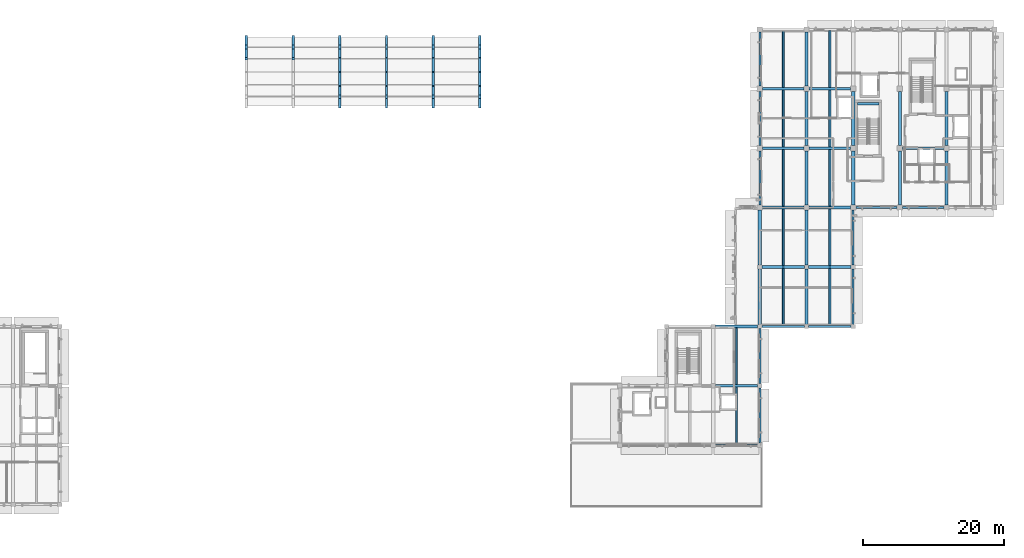
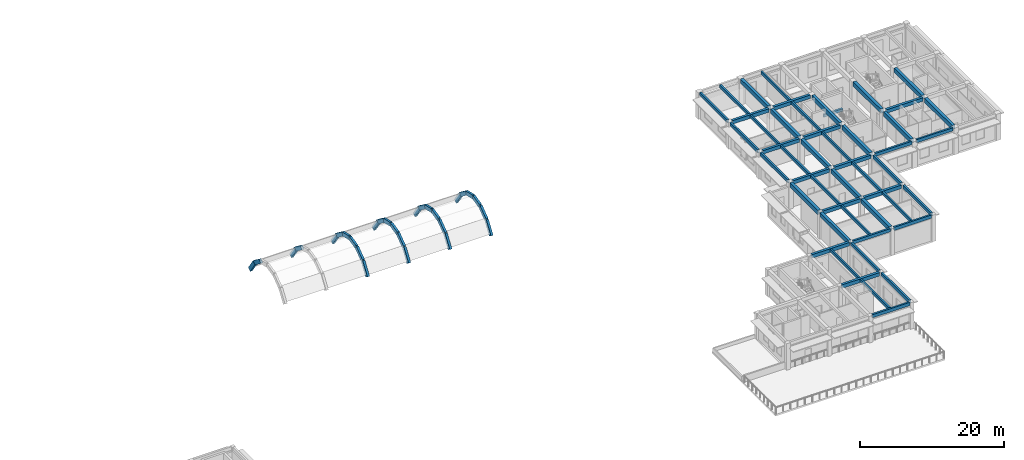
# One storey, part 2 of 20: 77 beams.
"""IFC4 building model written with IfcOpenShell, lengths in metres."""

from ifc_helpers import new_model, si_unit, direction, frame, origin, origin_2d, place, context, subcontext, project, spatial, rectangle, extrude, material, material_profile, profile_set, type_object, element, save


model = new_model("IFC4")

# Units and contexts
model_context = context("Model", 3, precision=1e-05, world=origin(), true_north=direction((0.0, 1.0)))
body_context = subcontext(model_context, "Body", "Model", "MODEL_VIEW")
ifc_project = project(units=[si_unit("LENGTHUNIT", "METRE"), si_unit("AREAUNIT", "SQUARE_METRE"), si_unit("VOLUMEUNIT", "CUBIC_METRE"), si_unit("PLANEANGLEUNIT", "RADIAN"), si_unit("MASSUNIT", "GRAM", prefix="KILO")], contexts=[model_context])

# Site, building, storey
site_placement = place(None, origin())
site = spatial("IfcSite", under=ifc_project, at=site_placement, CompositionType="ELEMENT")
building_placement = place(site_placement, origin())
building = spatial("IfcBuilding", under=site, at=building_placement, Name="Kolvaren Faculty of Natural Sciences", CompositionType="ELEMENT")
storey_placement = place(building_placement, frame((0.0, 0.0, 24.0)))
storey = spatial("IfcBuildingStorey", under=building, at=storey_placement, Name="L05", CompositionType="ELEMENT", Elevation=24.0)

# Beams
ifc_material_1 = material(Name="Concrete C40/50", Category="concrete")
ifc_material_profile_1 = material_profile(ifc_material_1, rectangle(XDim=0.300048828125, YDim=0.449951171875, at=origin_2d()), Name="RC LNT 300x450")
ifc_profile_set_1 = profile_set([ifc_material_profile_1], Name="Concrete C40/50")
beam_type_1 = type_object("IfcBeamType", Name="CoreCouplingLintel_300x450", PredefinedType="LINTEL", material=ifc_profile_set_1)
beam_1_placement = place(storey_placement, frame((152.625, 73.679931640625, 1.824951171875), z_axis=(1.0, 0.0, 0.0), x_axis=(0.0, 1.0, 0.0)))
element("IfcBeam", 1, at=beam_1_placement, inside=storey, type_object=beam_type_1, Name="L05 ST-2 half-landing support lintel", PredefinedType="LINTEL", context=body_context, shape_type="SweptSolid", body=[
    extrude(rectangle(XDim=0.300048828125, YDim=0.449951171875, at=origin_2d()), origin(), (0.0, 0.0, 1.0), 3.050048828125),
])
ifc_material_2 = material(Name="Concrete C35/45", Category="concrete")
ifc_material_profile_2 = material_profile(ifc_material_2, rectangle(XDim=0.39990234375, YDim=0.60009765625, at=origin_2d()), Name="RC BM 400x600")
ifc_profile_set_2 = profile_set([ifc_material_profile_2], Name="Concrete C35/45")
beam_type_2 = type_object("IfcBeamType", Name="GridBeam_400x600", PredefinedType="BEAM", material=ifc_profile_set_2)
for number, where, z_axis, x_axis, name in (
    (2, (132.5, 33.800048828125, 4.199951171875), (1.0, 0.0, 0.0), (0.0, 1.0, 0.0), "L05 beam BM-60 on grid E"),
    (3, (132.5, 42.199951171875, 4.199951171875), (1.0, 0.0, 0.0), (0.0, 1.0, 0.0), "L05 beam BM-60 on grid F"),
    (4, (139.10009765625, 50.60009765625, 4.199951171875), (1.0, 0.0, 0.0), (0.0, 1.0, 0.0), "L05 beam BM-60 on grid G"),
    (5, (145.699951171875, 50.60009765625, 4.199951171875), (1.0, 0.0, 0.0), (0.0, 1.0, 0.0), "L05 beam BM-60 on grid G"),
):
    element("IfcBeam", number, at=place(storey_placement, frame(where, z_axis=z_axis, x_axis=x_axis)), inside=storey, type_object=beam_type_2, Name=name, PredefinedType="BEAM", context=body_context, shape_type="SweptSolid", body=[
        extrude(rectangle(XDim=0.39990234375, YDim=0.60009765625, at=origin_2d()), origin(), (0.0, 0.0, 1.0), 6.0),
    ])
beam_2_placement = place(storey_placement, frame((139.175048828125, 59.0, 4.199951171875), z_axis=(1.0, 0.0, 0.0), x_axis=(0.0, 1.0, 0.0)))
element("IfcBeam", 6, at=beam_2_placement, inside=storey, type_object=beam_type_2, Name="L05 beam BM-60 on grid H", PredefinedType="BEAM", context=body_context, shape_type="SweptSolid", body=[
    extrude(rectangle(XDim=0.39990234375, YDim=0.60009765625, at=origin_2d()), origin(), (0.0, 0.0, 1.0), 5.849853515625),
])
beam_3_placement = place(storey_placement, frame((145.77490234375, 59.0, 4.199951171875), z_axis=(1.0, 0.0, 0.0), x_axis=(0.0, 1.0, 0.0)))
element("IfcBeam", 7, at=beam_3_placement, inside=storey, type_object=beam_type_2, Name="L05 beam BM-60 on grid H", PredefinedType="BEAM", context=body_context, shape_type="SweptSolid", body=[
    extrude(rectangle(XDim=0.39990234375, YDim=0.60009765625, at=origin_2d()), origin(), (0.0, 0.0, 1.0), 5.85009765625),
])
beam_4_placement = place(storey_placement, frame((139.175048828125, 67.39990234375, 4.199951171875), z_axis=(1.0, 0.0, 0.0), x_axis=(0.0, 1.0, 0.0)))
element("IfcBeam", 8, at=beam_4_placement, inside=storey, type_object=beam_type_2, Name="L05 beam BM-60 on grid J", PredefinedType="BEAM", context=body_context, shape_type="SweptSolid", body=[
    extrude(rectangle(XDim=0.39990234375, YDim=0.60009765625, at=origin_2d()), origin(), (0.0, 0.0, 1.0), 5.849853515625),
])
beam_5_placement = place(storey_placement, frame((145.77490234375, 67.39990234375, 4.199951171875), z_axis=(1.0, 0.0, 0.0), x_axis=(0.0, 1.0, 0.0)))
element("IfcBeam", 9, at=beam_5_placement, inside=storey, type_object=beam_type_2, Name="L05 beam BM-60 on grid J", PredefinedType="BEAM", context=body_context, shape_type="SweptSolid", body=[
    extrude(rectangle(XDim=0.39990234375, YDim=0.60009765625, at=origin_2d()), origin(), (0.0, 0.0, 1.0), 5.85009765625),
])
for number, where, z_axis, x_axis, name in (
    (10, (158.97509765625, 67.39990234375, 4.199951171875), (1.0, 0.0, 0.0), (0.0, 1.0, 0.0), "L05 beam BM-60 on grid J"),
    (11, (139.175048828125, 75.800048828125, 4.199951171875), (1.0, 0.0, 0.0), (0.0, 1.0, 0.0), "L05 beam BM-60 on grid K"),
):
    element("IfcBeam", number, at=place(storey_placement, frame(where, z_axis=z_axis, x_axis=x_axis)), inside=storey, type_object=beam_type_2, Name=name, PredefinedType="BEAM", context=body_context, shape_type="SweptSolid", body=[
        extrude(rectangle(XDim=0.39990234375, YDim=0.60009765625, at=origin_2d()), origin(), (0.0, 0.0, 1.0), 5.849853515625),
    ])
beam_6_placement = place(storey_placement, frame((145.77490234375, 75.800048828125, 4.199951171875), z_axis=(1.0, 0.0, 0.0), x_axis=(0.0, 1.0, 0.0)))
element("IfcBeam", 12, at=beam_6_placement, inside=storey, type_object=beam_type_2, Name="L05 beam BM-60 on grid K", PredefinedType="BEAM", context=body_context, shape_type="SweptSolid", body=[
    extrude(rectangle(XDim=0.39990234375, YDim=0.60009765625, at=origin_2d()), origin(), (0.0, 0.0, 1.0), 5.85009765625),
])
ifc_material_profile_3 = material_profile(ifc_material_2, rectangle(XDim=0.260009765625, YDim=0.5, at=origin_2d()), Name="RC JST 260x500")
ifc_profile_set_3 = profile_set([ifc_material_profile_3], Name="Concrete C35/45")
beam_type_3 = type_object("IfcBeamType", Name="LabRibJoist_260x500", PredefinedType="JOIST", material=ifc_profile_set_3)
beam_7_placement = place(storey_placement, frame((135.5, 25.550048828125, 4.25), z_axis=(0.0, 1.0, 0.0), x_axis=(-1.0, 0.0, 0.0)))
element("IfcBeam", 13, at=beam_7_placement, inside=storey, type_object=beam_type_3, Name="L05 ribbed laboratory slab joist JS-50", PredefinedType="JOIST", context=body_context, shape_type="SweptSolid", body=[
    extrude(rectangle(XDim=0.260009765625, YDim=0.5, at=origin_2d()), origin(), (0.0, 0.0, 1.0), 8.050048828125),
])
beam_8_placement = place(storey_placement, frame((135.5, 34.0, 4.25), z_axis=(0.0, 1.0, 0.0), x_axis=(-1.0, 0.0, 0.0)))
element("IfcBeam", 14, at=beam_8_placement, inside=storey, type_object=beam_type_3, Name="L05 ribbed laboratory slab joist JS-50", PredefinedType="JOIST", context=body_context, shape_type="SweptSolid", body=[
    extrude(rectangle(XDim=0.260009765625, YDim=0.5, at=origin_2d()), origin(), (0.0, 0.0, 1.0), 8.0),
])
beam_9_placement = place(storey_placement, frame((142.10009765625, 42.35009765625, 4.25), z_axis=(0.0, 1.0, 0.0), x_axis=(-1.0, 0.0, 0.0)))
element("IfcBeam", 15, at=beam_9_placement, inside=storey, type_object=beam_type_3, Name="L05 ribbed laboratory slab joist JS-50", PredefinedType="JOIST", context=body_context, shape_type="SweptSolid", body=[
    extrude(rectangle(XDim=0.260009765625, YDim=0.5, at=origin_2d()), origin(), (0.0, 0.0, 1.0), 8.0498046875),
])
for number, where, z_axis, x_axis, name in (
    (16, (142.10009765625, 50.800048828125, 4.25), (0.0, 1.0, 0.0), (-1.0, 0.0, 0.0), "L05 ribbed laboratory slab joist JS-50"),
    (17, (142.10009765625, 59.199951171875, 4.25), (0.0, 1.0, 0.0), (-1.0, 0.0, 0.0), "L05 ribbed laboratory slab joist JS-50"),
    (18, (142.10009765625, 67.60009765625, 4.25), (0.0, 1.0, 0.0), (-1.0, 0.0, 0.0), "L05 ribbed laboratory slab joist JS-50"),
):
    element("IfcBeam", number, at=place(storey_placement, frame(where, z_axis=z_axis, x_axis=x_axis)), inside=storey, type_object=beam_type_3, Name=name, PredefinedType="JOIST", context=body_context, shape_type="SweptSolid", body=[
        extrude(rectangle(XDim=0.260009765625, YDim=0.5, at=origin_2d()), origin(), (0.0, 0.0, 1.0), 8.0),
    ])
beam_10_placement = place(storey_placement, frame((142.10009765625, 76.0, 4.25), z_axis=(0.0, 1.0, 0.0), x_axis=(-1.0, 0.0, 0.0)))
element("IfcBeam", 19, at=beam_10_placement, inside=storey, type_object=beam_type_3, Name="L05 ribbed laboratory slab joist JS-50", PredefinedType="JOIST", context=body_context, shape_type="SweptSolid", body=[
    extrude(rectangle(XDim=0.260009765625, YDim=0.5, at=origin_2d()), origin(), (0.0, 0.0, 1.0), 8.050048828125),
])
beam_11_placement = place(storey_placement, frame((148.699951171875, 42.35009765625, 4.25), z_axis=(0.0, 1.0, 0.0), x_axis=(-1.0, 0.0, 0.0)))
element("IfcBeam", 20, at=beam_11_placement, inside=storey, type_object=beam_type_3, Name="L05 ribbed laboratory slab joist JS-50", PredefinedType="JOIST", context=body_context, shape_type="SweptSolid", body=[
    extrude(rectangle(XDim=0.260009765625, YDim=0.5, at=origin_2d()), origin(), (0.0, 0.0, 1.0), 8.0498046875),
])
for number, where, z_axis, x_axis, name in (
    (21, (148.699951171875, 50.800048828125, 4.25), (0.0, 1.0, 0.0), (-1.0, 0.0, 0.0), "L05 ribbed laboratory slab joist JS-50"),
    (22, (148.699951171875, 59.199951171875, 4.25), (0.0, 1.0, 0.0), (-1.0, 0.0, 0.0), "L05 ribbed laboratory slab joist JS-50"),
    (23, (148.699951171875, 67.60009765625, 4.25), (0.0, 1.0, 0.0), (-1.0, 0.0, 0.0), "L05 ribbed laboratory slab joist JS-50"),
):
    element("IfcBeam", number, at=place(storey_placement, frame(where, z_axis=z_axis, x_axis=x_axis)), inside=storey, type_object=beam_type_3, Name=name, PredefinedType="JOIST", context=body_context, shape_type="SweptSolid", body=[
        extrude(rectangle(XDim=0.260009765625, YDim=0.5, at=origin_2d()), origin(), (0.0, 0.0, 1.0), 8.0),
    ])
beam_12_placement = place(storey_placement, frame((148.699951171875, 76.0, 4.25), z_axis=(0.0, 1.0, 0.0), x_axis=(-1.0, 0.0, 0.0)))
element("IfcBeam", 24, at=beam_12_placement, inside=storey, type_object=beam_type_3, Name="L05 ribbed laboratory slab joist JS-50", PredefinedType="JOIST", context=body_context, shape_type="SweptSolid", body=[
    extrude(rectangle(XDim=0.260009765625, YDim=0.5, at=origin_2d()), origin(), (0.0, 0.0, 1.0), 8.050048828125),
])
ifc_material_profile_4 = material_profile(ifc_material_2, rectangle(XDim=0.300048828125, YDim=0.550048828125, at=origin_2d()), Name="RC SP 300x550")
ifc_profile_set_4 = profile_set([ifc_material_profile_4], Name="Concrete C35/45")
beam_type_4 = type_object("IfcBeamType", Name="PerimeterSpandrel_300x550", PredefinedType="SPANDREL", material=ifc_profile_set_4)
for number, where, z_axis, x_axis, name in (
    (25, (132.5, 25.39990234375, 4.22509765625), (1.0, 0.0, 0.0), (0.0, 1.0, 0.0), "L05 spandrel SP-55 on grid D"),
    (26, (139.10009765625, 42.199951171875, 4.22509765625), (1.0, 0.0, 0.0), (0.0, 1.0, 0.0), "L05 spandrel SP-55 on grid F"),
    (27, (145.699951171875, 42.199951171875, 4.22509765625), (1.0, 0.0, 0.0), (0.0, 1.0, 0.0), "L05 spandrel SP-55 on grid F"),
):
    element("IfcBeam", number, at=place(storey_placement, frame(where, z_axis=z_axis, x_axis=x_axis)), inside=storey, type_object=beam_type_4, Name=name, PredefinedType="SPANDREL", context=body_context, shape_type="SweptSolid", body=[
        extrude(rectangle(XDim=0.300048828125, YDim=0.550048828125, at=origin_2d()), origin(), (0.0, 0.0, 1.0), 6.0),
    ])
beam_13_placement = place(storey_placement, frame((152.375, 59.0, 4.22509765625), z_axis=(1.0, 0.0, 0.0), x_axis=(0.0, 1.0, 0.0)))
element("IfcBeam", 28, at=beam_13_placement, inside=storey, type_object=beam_type_4, Name="L05 spandrel SP-55 on grid H", PredefinedType="SPANDREL", context=body_context, shape_type="SweptSolid", body=[
    extrude(rectangle(XDim=0.300048828125, YDim=0.550048828125, at=origin_2d()), origin(), (0.0, 0.0, 1.0), 5.85009765625),
])
beam_14_placement = place(storey_placement, frame((158.97509765625, 59.0, 4.22509765625), z_axis=(1.0, 0.0, 0.0), x_axis=(0.0, 1.0, 0.0)))
element("IfcBeam", 29, at=beam_14_placement, inside=storey, type_object=beam_type_4, Name="L05 spandrel SP-55 on grid H", PredefinedType="SPANDREL", context=body_context, shape_type="SweptSolid", body=[
    extrude(rectangle(XDim=0.300048828125, YDim=0.550048828125, at=origin_2d()), origin(), (0.0, 0.0, 1.0), 5.849853515625),
])
beam_15_placement = place(storey_placement, frame((138.800048828125, 25.699951171875, 4.22509765625), z_axis=(0.0, 1.0, 0.0), x_axis=(-1.0, 0.0, 0.0)))
element("IfcBeam", 30, at=beam_15_placement, inside=storey, type_object=beam_type_4, Name="L05 girder SP-55 on grid 22", PredefinedType="SPANDREL", context=body_context, shape_type="SweptSolid", body=[
    extrude(rectangle(XDim=0.300048828125, YDim=0.550048828125, at=origin_2d()), origin(), (0.0, 0.0, 1.0), 7.800048828125),
])
beam_16_placement = place(storey_placement, frame((138.800048828125, 34.10009765625, 4.22509765625), z_axis=(0.0, 1.0, 0.0), x_axis=(-1.0, 0.0, 0.0)))
element("IfcBeam", 31, at=beam_16_placement, inside=storey, type_object=beam_type_4, Name="L05 girder SP-55 on grid 22", PredefinedType="SPANDREL", context=body_context, shape_type="SweptSolid", body=[
    extrude(rectangle(XDim=0.300048828125, YDim=0.550048828125, at=origin_2d()), origin(), (0.0, 0.0, 1.0), 7.7998046875),
])
beam_17_placement = place(storey_placement, frame((138.800048828125, 59.375, 4.22509765625), z_axis=(0.0, 1.0, 0.0), x_axis=(-1.0, 0.0, 0.0)))
element("IfcBeam", 32, at=beam_17_placement, inside=storey, type_object=beam_type_4, Name="L05 girder SP-55 on grid 22", PredefinedType="SPANDREL", context=body_context, shape_type="SweptSolid", body=[
    extrude(rectangle(XDim=0.300048828125, YDim=0.550048828125, at=origin_2d()), origin(), (0.0, 0.0, 1.0), 7.64990234375),
])
beam_18_placement = place(storey_placement, frame((138.800048828125, 67.77490234375, 4.22509765625), z_axis=(0.0, 1.0, 0.0), x_axis=(-1.0, 0.0, 0.0)))
element("IfcBeam", 33, at=beam_18_placement, inside=storey, type_object=beam_type_4, Name="L05 girder SP-55 on grid 22", PredefinedType="SPANDREL", context=body_context, shape_type="SweptSolid", body=[
    extrude(rectangle(XDim=0.300048828125, YDim=0.550048828125, at=origin_2d()), origin(), (0.0, 0.0, 1.0), 7.650146484375),
])
beam_19_placement = place(storey_placement, frame((138.800048828125, 76.175048828125, 4.22509765625), z_axis=(0.0, 1.0, 0.0), x_axis=(-1.0, 0.0, 0.0)))
element("IfcBeam", 34, at=beam_19_placement, inside=storey, type_object=beam_type_4, Name="L05 girder SP-55 on grid 22", PredefinedType="SPANDREL", context=body_context, shape_type="SweptSolid", body=[
    extrude(rectangle(XDim=0.300048828125, YDim=0.550048828125, at=origin_2d()), origin(), (0.0, 0.0, 1.0), 7.64990234375),
])
beam_20_placement = place(storey_placement, frame((152.0, 42.5, 4.22509765625), z_axis=(0.0, 1.0, 0.0), x_axis=(-1.0, 0.0, 0.0)))
element("IfcBeam", 35, at=beam_20_placement, inside=storey, type_object=beam_type_4, Name="L05 girder SP-55 on grid 24", PredefinedType="SPANDREL", context=body_context, shape_type="SweptSolid", body=[
    extrude(rectangle(XDim=0.300048828125, YDim=0.550048828125, at=origin_2d()), origin(), (0.0, 0.0, 1.0), 7.800048828125),
])
beam_21_placement = place(storey_placement, frame((152.0, 50.89990234375, 4.22509765625), z_axis=(0.0, 1.0, 0.0), x_axis=(-1.0, 0.0, 0.0)))
element("IfcBeam", 36, at=beam_21_placement, inside=storey, type_object=beam_type_4, Name="L05 girder SP-55 on grid 24", PredefinedType="SPANDREL", context=body_context, shape_type="SweptSolid", body=[
    extrude(rectangle(XDim=0.300048828125, YDim=0.550048828125, at=origin_2d()), origin(), (0.0, 0.0, 1.0), 7.72509765625),
])
ifc_material_profile_5 = material_profile(ifc_material_2, rectangle(XDim=0.449951171875, YDim=0.75, at=origin_2d()), Name="RC BM 450x750")
ifc_profile_set_5 = profile_set([ifc_material_profile_5], Name="Concrete C35/45")
beam_type_5 = type_object("IfcBeamType", Name="PrimaryGirder_450x750", PredefinedType="BEAM", material=ifc_profile_set_5)
beam_22_placement = place(storey_placement, frame((138.800048828125, 42.5, 4.125), z_axis=(0.0, 1.0, 0.0), x_axis=(-1.0, 0.0, 0.0)))
element("IfcBeam", 37, at=beam_22_placement, inside=storey, type_object=beam_type_5, Name="L05 girder BG-75 on grid 22", PredefinedType="BEAM", context=body_context, shape_type="SweptSolid", body=[
    extrude(rectangle(XDim=0.449951171875, YDim=0.75, at=origin_2d()), origin(), (0.0, 0.0, 1.0), 7.800048828125),
])
beam_23_placement = place(storey_placement, frame((138.800048828125, 50.89990234375, 4.125), z_axis=(0.0, 1.0, 0.0), x_axis=(-1.0, 0.0, 0.0)))
element("IfcBeam", 38, at=beam_23_placement, inside=storey, type_object=beam_type_5, Name="L05 girder BG-75 on grid 22", PredefinedType="BEAM", context=body_context, shape_type="SweptSolid", body=[
    extrude(rectangle(XDim=0.449951171875, YDim=0.75, at=origin_2d()), origin(), (0.0, 0.0, 1.0), 7.72509765625),
])
beam_24_placement = place(storey_placement, frame((145.39990234375, 42.5, 4.125), z_axis=(0.0, 1.0, 0.0), x_axis=(-1.0, 0.0, 0.0)))
element("IfcBeam", 39, at=beam_24_placement, inside=storey, type_object=beam_type_5, Name="L05 girder BG-75 on grid 23", PredefinedType="BEAM", context=body_context, shape_type="SweptSolid", body=[
    extrude(rectangle(XDim=0.449951171875, YDim=0.75, at=origin_2d()), origin(), (0.0, 0.0, 1.0), 7.800048828125),
])
beam_25_placement = place(storey_placement, frame((145.39990234375, 50.89990234375, 4.125), z_axis=(0.0, 1.0, 0.0), x_axis=(-1.0, 0.0, 0.0)))
element("IfcBeam", 40, at=beam_25_placement, inside=storey, type_object=beam_type_5, Name="L05 girder BG-75 on grid 23", PredefinedType="BEAM", context=body_context, shape_type="SweptSolid", body=[
    extrude(rectangle(XDim=0.449951171875, YDim=0.75, at=origin_2d()), origin(), (0.0, 0.0, 1.0), 7.72509765625),
])
beam_26_placement = place(storey_placement, frame((145.39990234375, 59.375, 4.125), z_axis=(0.0, 1.0, 0.0), x_axis=(-1.0, 0.0, 0.0)))
element("IfcBeam", 41, at=beam_26_placement, inside=storey, type_object=beam_type_5, Name="L05 girder BG-75 on grid 23", PredefinedType="BEAM", context=body_context, shape_type="SweptSolid", body=[
    extrude(rectangle(XDim=0.449951171875, YDim=0.75, at=origin_2d()), origin(), (0.0, 0.0, 1.0), 7.64990234375),
])
beam_27_placement = place(storey_placement, frame((145.39990234375, 67.77490234375, 4.125), z_axis=(0.0, 1.0, 0.0), x_axis=(-1.0, 0.0, 0.0)))
element("IfcBeam", 42, at=beam_27_placement, inside=storey, type_object=beam_type_5, Name="L05 girder BG-75 on grid 23", PredefinedType="BEAM", context=body_context, shape_type="SweptSolid", body=[
    extrude(rectangle(XDim=0.449951171875, YDim=0.75, at=origin_2d()), origin(), (0.0, 0.0, 1.0), 7.650146484375),
])
for number, where, z_axis, x_axis, name in (
    (43, (145.39990234375, 76.175048828125, 4.125), (0.0, 1.0, 0.0), (-1.0, 0.0, 0.0), "L05 girder BG-75 on grid 23"),
    (44, (152.0, 59.375, 4.125), (0.0, 1.0, 0.0), (-1.0, 0.0, 0.0), "L05 girder BG-75 on grid 24"),
):
    element("IfcBeam", number, at=place(storey_placement, frame(where, z_axis=z_axis, x_axis=x_axis)), inside=storey, type_object=beam_type_5, Name=name, PredefinedType="BEAM", context=body_context, shape_type="SweptSolid", body=[
        extrude(rectangle(XDim=0.449951171875, YDim=0.75, at=origin_2d()), origin(), (0.0, 0.0, 1.0), 7.64990234375),
    ])
beam_28_placement = place(storey_placement, frame((152.0, 67.77490234375, 4.125), z_axis=(0.0, 1.0, 0.0), x_axis=(-1.0, 0.0, 0.0)))
element("IfcBeam", 45, at=beam_28_placement, inside=storey, type_object=beam_type_5, Name="L05 girder BG-75 on grid 24", PredefinedType="BEAM", context=body_context, shape_type="SweptSolid", body=[
    extrude(rectangle(XDim=0.449951171875, YDim=0.75, at=origin_2d()), origin(), (0.0, 0.0, 1.0), 7.650146484375),
])
beam_29_placement = place(storey_placement, frame((158.60009765625, 59.375, 4.125), z_axis=(0.0, 1.0, 0.0), x_axis=(-1.0, 0.0, 0.0)))
element("IfcBeam", 46, at=beam_29_placement, inside=storey, type_object=beam_type_5, Name="L05 girder BG-75 on grid 25", PredefinedType="BEAM", context=body_context, shape_type="SweptSolid", body=[
    extrude(rectangle(XDim=0.449951171875, YDim=0.75, at=origin_2d()), origin(), (0.0, 0.0, 1.0), 7.64990234375),
])
beam_30_placement = place(storey_placement, frame((158.60009765625, 67.77490234375, 4.125), z_axis=(0.0, 1.0, 0.0), x_axis=(-1.0, 0.0, 0.0)))
element("IfcBeam", 47, at=beam_30_placement, inside=storey, type_object=beam_type_5, Name="L05 girder BG-75 on grid 25", PredefinedType="BEAM", context=body_context, shape_type="SweptSolid", body=[
    extrude(rectangle(XDim=0.449951171875, YDim=0.75, at=origin_2d()), origin(), (0.0, 0.0, 1.0), 7.650146484375),
])
beam_31_placement = place(storey_placement, frame((165.199951171875, 59.375, 4.125), z_axis=(0.0, 1.0, 0.0), x_axis=(-1.0, 0.0, 0.0)))
element("IfcBeam", 48, at=beam_31_placement, inside=storey, type_object=beam_type_5, Name="L05 girder BG-75 on grid 26", PredefinedType="BEAM", context=body_context, shape_type="SweptSolid", body=[
    extrude(rectangle(XDim=0.449951171875, YDim=0.75, at=origin_2d()), origin(), (0.0, 0.0, 1.0), 7.64990234375),
])
beam_32_placement = place(storey_placement, frame((165.199951171875, 67.77490234375, 4.125), z_axis=(0.0, 1.0, 0.0), x_axis=(-1.0, 0.0, 0.0)))
element("IfcBeam", 49, at=beam_32_placement, inside=storey, type_object=beam_type_5, Name="L05 girder BG-75 on grid 26", PredefinedType="BEAM", context=body_context, shape_type="SweptSolid", body=[
    extrude(rectangle(XDim=0.449951171875, YDim=0.75, at=origin_2d()), origin(), (0.0, 0.0, 1.0), 7.650146484375),
])
ifc_material_profile_6 = material_profile(ifc_material_1, rectangle(XDim=0.35009765625, YDim=0.64990234375, at=origin_2d()), Name="RC RB 350x650")
ifc_profile_set_6 = profile_set([ifc_material_profile_6], Name="Concrete C40/50")
beam_type_6 = type_object("IfcBeamType", Name="ShellArchRib_350x650", PredefinedType="BEAM", material=ifc_profile_set_6)
beam_33_placement = place(storey_placement, frame((66.199951171875, 80.05419921875, 3.58935546875), z_axis=(0.0, 0.801023058896, -0.598633493147), x_axis=(-1.0, 0.0, 0.0)))
element("IfcBeam", 50, at=beam_33_placement, inside=storey, type_object=beam_type_6, Name="Central Sky-Lit Atrium Barrel Vault Shell arched stiffening rib 1.7", PredefinedType="BEAM", context=body_context, shape_type="SweptSolid", body=[
    extrude(rectangle(XDim=0.35009765625, YDim=0.64990234375, at=origin_2d()), origin(), (0.0, 0.0, 1.0), 2.088134765625),
])
beam_34_placement = place(storey_placement, frame((66.199951171875, 81.726806640625, 2.33935546875), z_axis=(0.0, 0.563349684993, -0.826218574239), x_axis=(-1.0, 0.0, 0.0)))
element("IfcBeam", 51, at=beam_34_placement, inside=storey, type_object=beam_type_6, Name="Central Sky-Lit Atrium Barrel Vault Shell arched stiffening rib 1.8", PredefinedType="BEAM", context=body_context, shape_type="SweptSolid", body=[
    extrude(rectangle(XDim=0.35009765625, YDim=0.64990234375, at=origin_2d()), origin(), (0.0, 0.0, 1.0), 2.356201171875),
])
beam_35_placement = place(storey_placement, frame((72.800048828125, 80.05419921875, 3.58935546875), z_axis=(0.0, 0.801023058896, -0.598633493147), x_axis=(-1.0, 0.0, 0.0)))
element("IfcBeam", 52, at=beam_35_placement, inside=storey, type_object=beam_type_6, Name="Central Sky-Lit Atrium Barrel Vault Shell arched stiffening rib 2.7", PredefinedType="BEAM", context=body_context, shape_type="SweptSolid", body=[
    extrude(rectangle(XDim=0.35009765625, YDim=0.64990234375, at=origin_2d()), origin(), (0.0, 0.0, 1.0), 2.088134765625),
])
for number, where, z_axis, x_axis, name in (
    (53, (72.800048828125, 81.726806640625, 2.33935546875), (0.0, 0.563349684993, -0.826218574239), (-1.0, 0.0, 0.0), "Central Sky-Lit Atrium Barrel Vault Shell arched stiffening rib 2.8"),
    (54, (79.39990234375, 73.345947265625, 0.392578125), (0.0, 0.563349684993, 0.826218574239), (-1.0, 0.0, 0.0), "Central Sky-Lit Atrium Barrel Vault Shell arched stiffening rib 3.3"),
):
    element("IfcBeam", number, at=place(storey_placement, frame(where, z_axis=z_axis, x_axis=x_axis)), inside=storey, type_object=beam_type_6, Name=name, PredefinedType="BEAM", context=body_context, shape_type="SweptSolid", body=[
        extrude(rectangle(XDim=0.35009765625, YDim=0.64990234375, at=origin_2d()), origin(), (0.0, 0.0, 1.0), 2.356201171875),
    ])
beam_36_placement = place(storey_placement, frame((79.39990234375, 74.67333984375, 2.33935546875), z_axis=(0.0, 0.801023058896, 0.598633493147), x_axis=(-1.0, 0.0, 0.0)))
element("IfcBeam", 55, at=beam_36_placement, inside=storey, type_object=beam_type_6, Name="Central Sky-Lit Atrium Barrel Vault Shell arched stiffening rib 3.4", PredefinedType="BEAM", context=body_context, shape_type="SweptSolid", body=[
    extrude(rectangle(XDim=0.35009765625, YDim=0.64990234375, at=origin_2d()), origin(), (0.0, 0.0, 1.0), 2.088134765625),
])
beam_37_placement = place(storey_placement, frame((79.39990234375, 76.345947265625, 3.58935546875), z_axis=(0.0, 0.974065909873, 0.226264454176), x_axis=(-1.0, 0.0, 0.0)))
element("IfcBeam", 56, at=beam_37_placement, inside=storey, type_object=beam_type_6, Name="Central Sky-Lit Atrium Barrel Vault Shell arched stiffening rib 3.5", PredefinedType="BEAM", context=body_context, shape_type="SweptSolid", body=[
    extrude(rectangle(XDim=0.35009765625, YDim=0.64990234375, at=origin_2d()), origin(), (0.0, 0.0, 1.0), 1.9033203125),
])
beam_38_placement = place(storey_placement, frame((79.39990234375, 78.199951171875, 4.02001953125), z_axis=(0.0, 0.974072475391, -0.226236187833), x_axis=(-1.0, 0.0, 0.0)))
element("IfcBeam", 57, at=beam_38_placement, inside=storey, type_object=beam_type_6, Name="Central Sky-Lit Atrium Barrel Vault Shell arched stiffening rib 3.6", PredefinedType="BEAM", context=body_context, shape_type="SweptSolid", body=[
    extrude(rectangle(XDim=0.35009765625, YDim=0.64990234375, at=origin_2d()), origin(), (0.0, 0.0, 1.0), 1.903564453125),
])
beam_39_placement = place(storey_placement, frame((79.39990234375, 80.05419921875, 3.58935546875), z_axis=(0.0, 0.801023058896, -0.598633493147), x_axis=(-1.0, 0.0, 0.0)))
element("IfcBeam", 58, at=beam_39_placement, inside=storey, type_object=beam_type_6, Name="Central Sky-Lit Atrium Barrel Vault Shell arched stiffening rib 3.7", PredefinedType="BEAM", context=body_context, shape_type="SweptSolid", body=[
    extrude(rectangle(XDim=0.35009765625, YDim=0.64990234375, at=origin_2d()), origin(), (0.0, 0.0, 1.0), 2.088134765625),
])
for number, where, z_axis, x_axis, name in (
    (59, (79.39990234375, 81.726806640625, 2.33935546875), (0.0, 0.563349684993, -0.826218574239), (-1.0, 0.0, 0.0), "Central Sky-Lit Atrium Barrel Vault Shell arched stiffening rib 3.8"),
    (60, (86.0, 73.345947265625, 0.392578125), (0.0, 0.563349684993, 0.826218574239), (-1.0, 0.0, 0.0), "Central Sky-Lit Atrium Barrel Vault Shell arched stiffening rib 4.3"),
):
    element("IfcBeam", number, at=place(storey_placement, frame(where, z_axis=z_axis, x_axis=x_axis)), inside=storey, type_object=beam_type_6, Name=name, PredefinedType="BEAM", context=body_context, shape_type="SweptSolid", body=[
        extrude(rectangle(XDim=0.35009765625, YDim=0.64990234375, at=origin_2d()), origin(), (0.0, 0.0, 1.0), 2.356201171875),
    ])
beam_40_placement = place(storey_placement, frame((86.0, 74.67333984375, 2.33935546875), z_axis=(0.0, 0.801023058896, 0.598633493147), x_axis=(-1.0, 0.0, 0.0)))
element("IfcBeam", 61, at=beam_40_placement, inside=storey, type_object=beam_type_6, Name="Central Sky-Lit Atrium Barrel Vault Shell arched stiffening rib 4.4", PredefinedType="BEAM", context=body_context, shape_type="SweptSolid", body=[
    extrude(rectangle(XDim=0.35009765625, YDim=0.64990234375, at=origin_2d()), origin(), (0.0, 0.0, 1.0), 2.088134765625),
])
beam_41_placement = place(storey_placement, frame((86.0, 76.345947265625, 3.58935546875), z_axis=(0.0, 0.974065909873, 0.226264454176), x_axis=(-1.0, 0.0, 0.0)))
element("IfcBeam", 62, at=beam_41_placement, inside=storey, type_object=beam_type_6, Name="Central Sky-Lit Atrium Barrel Vault Shell arched stiffening rib 4.5", PredefinedType="BEAM", context=body_context, shape_type="SweptSolid", body=[
    extrude(rectangle(XDim=0.35009765625, YDim=0.64990234375, at=origin_2d()), origin(), (0.0, 0.0, 1.0), 1.9033203125),
])
beam_42_placement = place(storey_placement, frame((86.0, 78.199951171875, 4.02001953125), z_axis=(0.0, 0.974072475391, -0.226236187833), x_axis=(-1.0, 0.0, 0.0)))
element("IfcBeam", 63, at=beam_42_placement, inside=storey, type_object=beam_type_6, Name="Central Sky-Lit Atrium Barrel Vault Shell arched stiffening rib 4.6", PredefinedType="BEAM", context=body_context, shape_type="SweptSolid", body=[
    extrude(rectangle(XDim=0.35009765625, YDim=0.64990234375, at=origin_2d()), origin(), (0.0, 0.0, 1.0), 1.903564453125),
])
beam_43_placement = place(storey_placement, frame((86.0, 80.05419921875, 3.58935546875), z_axis=(0.0, 0.801023058896, -0.598633493147), x_axis=(-1.0, 0.0, 0.0)))
element("IfcBeam", 64, at=beam_43_placement, inside=storey, type_object=beam_type_6, Name="Central Sky-Lit Atrium Barrel Vault Shell arched stiffening rib 4.7", PredefinedType="BEAM", context=body_context, shape_type="SweptSolid", body=[
    extrude(rectangle(XDim=0.35009765625, YDim=0.64990234375, at=origin_2d()), origin(), (0.0, 0.0, 1.0), 2.088134765625),
])
for number, where, z_axis, x_axis, name in (
    (65, (86.0, 81.726806640625, 2.33935546875), (0.0, 0.563349684993, -0.826218574239), (-1.0, 0.0, 0.0), "Central Sky-Lit Atrium Barrel Vault Shell arched stiffening rib 4.8"),
    (66, (92.60009765625, 73.345947265625, 0.392578125), (0.0, 0.563349684993, 0.826218574239), (-1.0, 0.0, 0.0), "Central Sky-Lit Atrium Barrel Vault Shell arched stiffening rib 5.3"),
):
    element("IfcBeam", number, at=place(storey_placement, frame(where, z_axis=z_axis, x_axis=x_axis)), inside=storey, type_object=beam_type_6, Name=name, PredefinedType="BEAM", context=body_context, shape_type="SweptSolid", body=[
        extrude(rectangle(XDim=0.35009765625, YDim=0.64990234375, at=origin_2d()), origin(), (0.0, 0.0, 1.0), 2.356201171875),
    ])
beam_44_placement = place(storey_placement, frame((92.60009765625, 74.67333984375, 2.33935546875), z_axis=(0.0, 0.801023058896, 0.598633493147), x_axis=(-1.0, 0.0, 0.0)))
element("IfcBeam", 67, at=beam_44_placement, inside=storey, type_object=beam_type_6, Name="Central Sky-Lit Atrium Barrel Vault Shell arched stiffening rib 5.4", PredefinedType="BEAM", context=body_context, shape_type="SweptSolid", body=[
    extrude(rectangle(XDim=0.35009765625, YDim=0.64990234375, at=origin_2d()), origin(), (0.0, 0.0, 1.0), 2.088134765625),
])
beam_45_placement = place(storey_placement, frame((92.60009765625, 76.345947265625, 3.58935546875), z_axis=(0.0, 0.974065909873, 0.226264454176), x_axis=(-1.0, 0.0, 0.0)))
element("IfcBeam", 68, at=beam_45_placement, inside=storey, type_object=beam_type_6, Name="Central Sky-Lit Atrium Barrel Vault Shell arched stiffening rib 5.5", PredefinedType="BEAM", context=body_context, shape_type="SweptSolid", body=[
    extrude(rectangle(XDim=0.35009765625, YDim=0.64990234375, at=origin_2d()), origin(), (0.0, 0.0, 1.0), 1.9033203125),
])
beam_46_placement = place(storey_placement, frame((92.60009765625, 78.199951171875, 4.02001953125), z_axis=(0.0, 0.974072475391, -0.226236187833), x_axis=(-1.0, 0.0, 0.0)))
element("IfcBeam", 69, at=beam_46_placement, inside=storey, type_object=beam_type_6, Name="Central Sky-Lit Atrium Barrel Vault Shell arched stiffening rib 5.6", PredefinedType="BEAM", context=body_context, shape_type="SweptSolid", body=[
    extrude(rectangle(XDim=0.35009765625, YDim=0.64990234375, at=origin_2d()), origin(), (0.0, 0.0, 1.0), 1.903564453125),
])
beam_47_placement = place(storey_placement, frame((92.60009765625, 80.05419921875, 3.58935546875), z_axis=(0.0, 0.801023058896, -0.598633493147), x_axis=(-1.0, 0.0, 0.0)))
element("IfcBeam", 70, at=beam_47_placement, inside=storey, type_object=beam_type_6, Name="Central Sky-Lit Atrium Barrel Vault Shell arched stiffening rib 5.7", PredefinedType="BEAM", context=body_context, shape_type="SweptSolid", body=[
    extrude(rectangle(XDim=0.35009765625, YDim=0.64990234375, at=origin_2d()), origin(), (0.0, 0.0, 1.0), 2.088134765625),
])
for number, where, z_axis, x_axis, name in (
    (71, (92.60009765625, 81.726806640625, 2.33935546875), (0.0, 0.563349684993, -0.826218574239), (-1.0, 0.0, 0.0), "Central Sky-Lit Atrium Barrel Vault Shell arched stiffening rib 5.8"),
    (72, (99.199951171875, 73.345947265625, 0.392578125), (0.0, 0.563349684993, 0.826218574239), (-1.0, 0.0, 0.0), "Central Sky-Lit Atrium Barrel Vault Shell arched stiffening rib 6.3"),
):
    element("IfcBeam", number, at=place(storey_placement, frame(where, z_axis=z_axis, x_axis=x_axis)), inside=storey, type_object=beam_type_6, Name=name, PredefinedType="BEAM", context=body_context, shape_type="SweptSolid", body=[
        extrude(rectangle(XDim=0.35009765625, YDim=0.64990234375, at=origin_2d()), origin(), (0.0, 0.0, 1.0), 2.356201171875),
    ])
beam_48_placement = place(storey_placement, frame((99.199951171875, 74.67333984375, 2.33935546875), z_axis=(0.0, 0.801023058896, 0.598633493147), x_axis=(-1.0, 0.0, 0.0)))
element("IfcBeam", 73, at=beam_48_placement, inside=storey, type_object=beam_type_6, Name="Central Sky-Lit Atrium Barrel Vault Shell arched stiffening rib 6.4", PredefinedType="BEAM", context=body_context, shape_type="SweptSolid", body=[
    extrude(rectangle(XDim=0.35009765625, YDim=0.64990234375, at=origin_2d()), origin(), (0.0, 0.0, 1.0), 2.088134765625),
])
beam_49_placement = place(storey_placement, frame((99.199951171875, 76.345947265625, 3.58935546875), z_axis=(0.0, 0.974065909873, 0.226264454176), x_axis=(-1.0, 0.0, 0.0)))
element("IfcBeam", 74, at=beam_49_placement, inside=storey, type_object=beam_type_6, Name="Central Sky-Lit Atrium Barrel Vault Shell arched stiffening rib 6.5", PredefinedType="BEAM", context=body_context, shape_type="SweptSolid", body=[
    extrude(rectangle(XDim=0.35009765625, YDim=0.64990234375, at=origin_2d()), origin(), (0.0, 0.0, 1.0), 1.9033203125),
])
beam_50_placement = place(storey_placement, frame((99.199951171875, 78.199951171875, 4.02001953125), z_axis=(0.0, 0.974072475391, -0.226236187833), x_axis=(-1.0, 0.0, 0.0)))
element("IfcBeam", 75, at=beam_50_placement, inside=storey, type_object=beam_type_6, Name="Central Sky-Lit Atrium Barrel Vault Shell arched stiffening rib 6.6", PredefinedType="BEAM", context=body_context, shape_type="SweptSolid", body=[
    extrude(rectangle(XDim=0.35009765625, YDim=0.64990234375, at=origin_2d()), origin(), (0.0, 0.0, 1.0), 1.903564453125),
])
beam_51_placement = place(storey_placement, frame((99.199951171875, 80.05419921875, 3.58935546875), z_axis=(0.0, 0.801023058896, -0.598633493147), x_axis=(-1.0, 0.0, 0.0)))
element("IfcBeam", 76, at=beam_51_placement, inside=storey, type_object=beam_type_6, Name="Central Sky-Lit Atrium Barrel Vault Shell arched stiffening rib 6.7", PredefinedType="BEAM", context=body_context, shape_type="SweptSolid", body=[
    extrude(rectangle(XDim=0.35009765625, YDim=0.64990234375, at=origin_2d()), origin(), (0.0, 0.0, 1.0), 2.088134765625),
])
beam_52_placement = place(storey_placement, frame((99.199951171875, 81.726806640625, 2.33935546875), z_axis=(0.0, 0.563349684993, -0.826218574239), x_axis=(-1.0, 0.0, 0.0)))
element("IfcBeam", 77, at=beam_52_placement, inside=storey, type_object=beam_type_6, Name="Central Sky-Lit Atrium Barrel Vault Shell arched stiffening rib 6.8", PredefinedType="BEAM", context=body_context, shape_type="SweptSolid", body=[
    extrude(rectangle(XDim=0.35009765625, YDim=0.64990234375, at=origin_2d()), origin(), (0.0, 0.0, 1.0), 2.356201171875),
])

save(model, "model.ifc")
